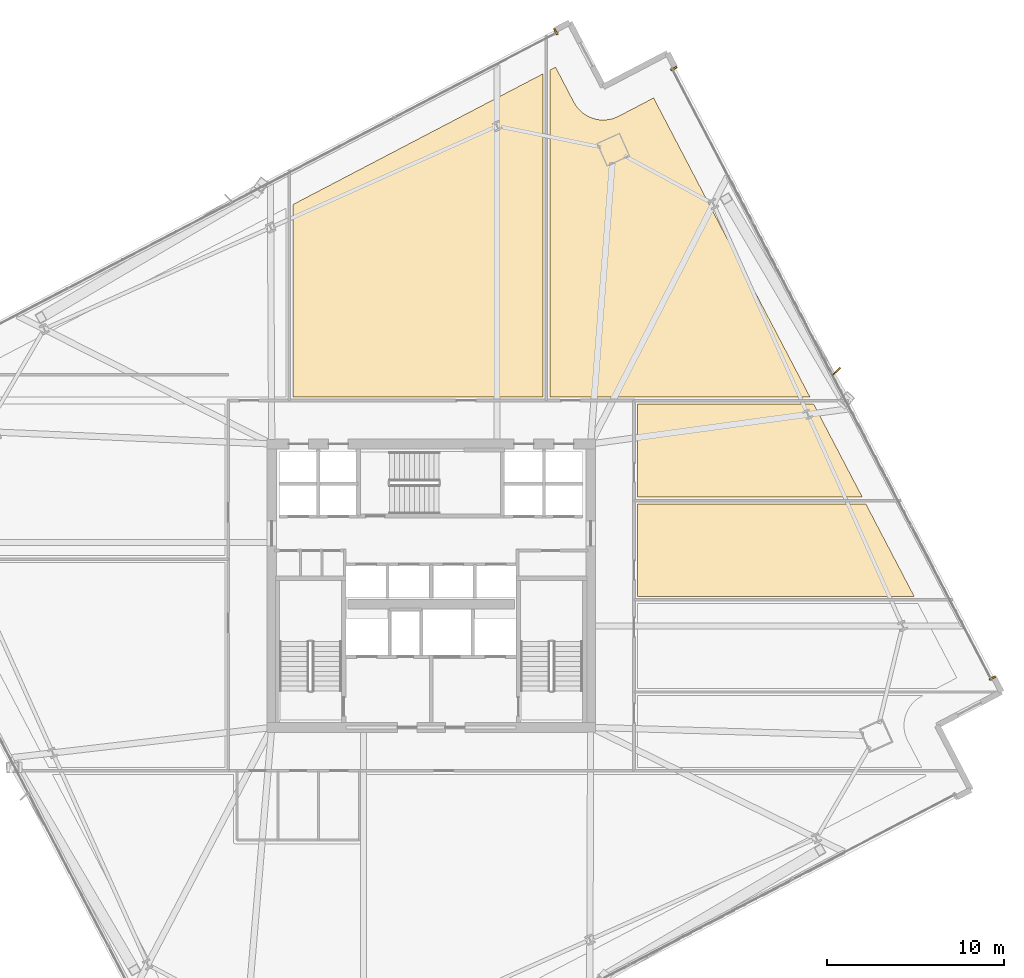
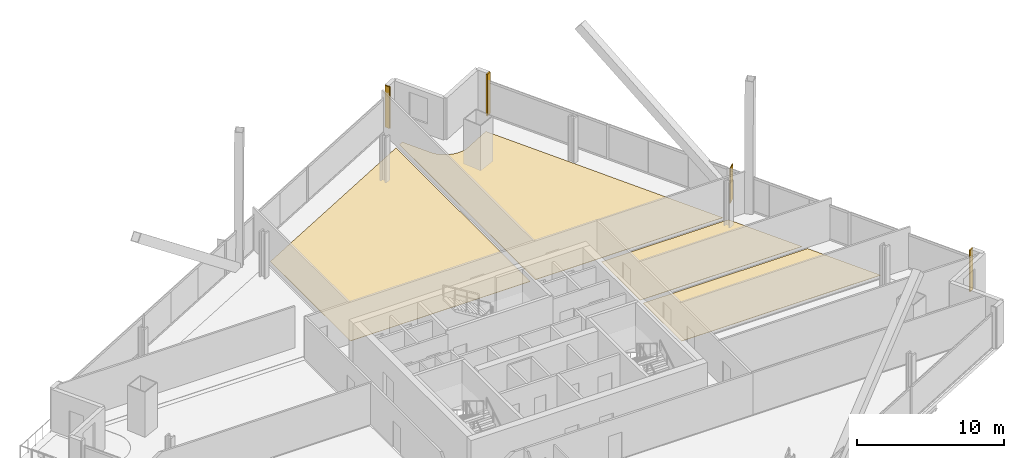
# One storey, part 33 of 33: 7 coverings, 1 shading device.
"""IFC4 building model written with IfcOpenShell, lengths in metres."""

from ifc_helpers import new_model, si_unit, direction, frame, origin, origin_2d, place, context, subcontext, project, spatial, polyline, rectangle, outline, extrude, source, transform, mapped, material, layer, layer_set, type_object, element, save


model = new_model("IFC4")

# Units and contexts
model_context = context("Model", 3, precision=1e-05, world=origin(), true_north=direction((0.0, 1.0)))
body_context = subcontext(model_context, "Body", "Model", "MODEL_VIEW")
ifc_project = project(units=[si_unit("LENGTHUNIT", "METRE"), si_unit("AREAUNIT", "SQUARE_METRE"), si_unit("VOLUMEUNIT", "CUBIC_METRE"), si_unit("PLANEANGLEUNIT", "RADIAN"), si_unit("MASSUNIT", "GRAM", prefix="KILO")], contexts=[model_context])

# Site, building, storey
site_placement = place(None, origin())
site = spatial("IfcSite", under=ifc_project, at=site_placement, CompositionType="ELEMENT")
building_placement = place(site_placement, origin())
building = spatial("IfcBuilding", under=site, at=building_placement, Name="Haldenkirk Collegiate Tower", CompositionType="ELEMENT")
storey_placement = place(building_placement, frame((0.0, 0.0, 120.449951171875)))
storey = spatial("IfcBuildingStorey", under=building, at=storey_placement, Name="L29", CompositionType="ELEMENT", Elevation=120.449951171875)

# Coverings
ifc_material_1 = material(Name="Polished collegiate terrazzo", Category="concrete")
ifc_layer_1 = layer(ifc_material_1, 0.02490234375)
ifc_layer_set_1 = layer_set([ifc_layer_1], Name="Polished collegiate terrazzo")
covering_type_1 = type_object("IfcCoveringType", Name="COV-FLOOR-TERRAZZO", PredefinedType="FLOORING", material=ifc_layer_set_1)
covering_1_placement = place(storey_placement, origin())
element("IfcCovering", 1, at=covering_1_placement, inside=storey, type_object=covering_type_1, Name="L29 academic room finish 04", PredefinedType="FLOORING", context=body_context, shape_type="SweptSolid", body=[
    extrude(outline(polyline([(43.021484375, 55.26318359375), (44.0546875, 53.286865234375), (44.0576171875, 53.281494140625), (44.14453125, 53.133544921875), (44.15087890625, 53.123779296875), (44.251953125, 52.98486328125), (44.259521484375, 52.9755859375), (44.37353515625, 52.847412109375), (44.3818359375, 52.839111328125), (44.508056640625, 52.722412109375), (44.51708984375, 52.715087890625), (44.654052734375, 52.611328125), (44.663818359375, 52.604736328125), (44.810302734375, 52.51513671875), (44.820556640625, 52.509521484375), (44.97509765625, 52.4345703125), (44.986083984375, 52.429931640625), (45.147216796875, 52.37060546875), (45.158203125, 52.3671875), (45.324462890625, 52.323974609375), (45.336181640625, 52.321533203125), (45.505615234375, 52.294921875), (45.517333984375, 52.29345703125), (45.68896484375, 52.283447265625), (45.70068359375, 52.283447265625), (45.872314453125, 52.290283203125), (45.884033203125, 52.291259765625), (46.05419921875, 52.31494140625), (46.065673828125, 52.317138671875), (46.232666015625, 52.357421875), (46.243896484375, 52.360595703125), (46.406005859375, 52.4169921875), (46.4169921875, 52.42138671875), (46.572998046875, 52.493408203125), (46.578369140625, 52.49609375), (48.554443359375, 53.529296875), (57.378662109375, 36.64990234375), (42.699951171875, 36.64990234375), (42.699951171875, 55.094970703125), (43.021484375, 55.26318359375)])), origin(), (0.0, 0.0, 1.0), 0.025146484375),
])
covering_2_placement = place(storey_placement, origin())
element("IfcCovering", 2, at=covering_2_placement, inside=storey, type_object=covering_type_1, Name="L29 academic room finish 10", PredefinedType="FLOORING", context=body_context, shape_type="SweptSolid", body=[
    extrude(outline(polyline([(60.33251953125, 31.0), (47.64990234375, 31.0), (47.64990234375, 36.25), (57.587890625, 36.25), (60.33251953125, 31.0)])), origin(), (0.0, 0.0, 1.0), 0.025146484375),
])
ifc_material_2 = material(Name="Engineered collegiate oak acoustic flooring", Category="wood")
ifc_layer_2 = layer(ifc_material_2, 0.02197265625)
ifc_layer_set_2 = layer_set([ifc_layer_2], Name="Engineered collegiate oak acoustic flooring")
covering_type_2 = type_object("IfcCoveringType", Name="COV-FLOOR-TIMBER", PredefinedType="FLOORING", material=ifc_layer_set_2)
covering_3_placement = place(storey_placement, origin())
element("IfcCovering", 3, at=covering_3_placement, inside=storey, type_object=covering_type_2, Name="L29 academic room finish 03", PredefinedType="FLOORING", context=body_context, shape_type="SweptSolid", body=[
    extrude(outline(polyline([(42.300048828125, 54.885986328125), (42.300048828125, 36.64990234375), (28.199951171875, 36.64990234375), (28.199951171875, 47.514404296875), (42.300048828125, 54.885986328125)])), origin(), (0.0, 0.0, 1.0), 0.02197265625),
])
covering_4_placement = place(storey_placement, origin())
element("IfcCovering", 4, at=covering_4_placement, inside=storey, type_object=covering_type_2, Name="L29 academic room finish 09", PredefinedType="FLOORING", context=body_context, shape_type="SweptSolid", body=[
    extrude(outline(polyline([(63.260009765625, 25.39990234375), (47.64990234375, 25.39990234375), (47.64990234375, 30.60009765625), (60.54150390625, 30.60009765625), (63.260009765625, 25.39990234375)])), origin(), (0.0, 0.0, 1.0), 0.02197265625),
])
ifc_material_3 = material(Name="Anodised architectural bronze aluminium", Category="aluminium")
ifc_layer_3 = layer(ifc_material_3, 0.06005859375)
ifc_layer_set_3 = layer_set([ifc_layer_3], Name="Anodised architectural bronze aluminium")
covering_type_3 = type_object("IfcCoveringType", Name="COV-CLAD-BRONZE-60", PredefinedType="CLADDING", material=ifc_layer_set_3)
shared_shape_1 = source(origin(), body_context, "Body", "SweptSolid", [
    extrude(rectangle(XDim=0.10009765625, YDim=0.3798828125, at=origin_2d()), origin(), (0.0, 0.0, 1.0), 3.449951171875),
])
for number, where, z_axis, x_axis, name in (
    (5, (49.6962890625, 55.186767578125, 0.0), (0.0, 0.0, 1.0), (0.46329603512, -0.886203579231, 0.0), "L29 recessed curtain-wall bronze jamb closure EJL"),
    (6, (67.67919921875, 20.788818359375, 0.0), (0.0, 0.0, 1.0), (0.46329603512, -0.886203579231, 0.0), "L29 recessed curtain-wall bronze jamb closure EJR"),
    (7, (43.02978515625, 57.27587890625, 0.0), (0.0, 0.0, 1.0), (0.886203579231, 0.46329603512, 0.0), "L29 recessed curtain-wall bronze jamb closure NJR"),
):
    element("IfcCovering", number, at=place(storey_placement, frame(where, z_axis=z_axis, x_axis=x_axis)), inside=storey, type_object=covering_type_3, Name=name, PredefinedType="CLADDING", context=body_context, shape_type="MappedRepresentation", body=[
        mapped(shared_shape_1, transform((0.0, 0.0, 0.0), x_axis=(1.0, 0.0, 0.0), y_axis=(0.0, 1.0, 0.0), z_axis=(0.0, 0.0, 1.0), scale=1.0)),
    ])

# Shading device
ifc_layer_4 = layer(ifc_material_3, 0.06494140625)
ifc_layer_set_4 = layer_set([ifc_layer_4], Name="Anodised architectural bronze aluminium")
shading_device_type = type_object("IfcShadingDeviceType", Name="SHD-FIN-BRONZE-620", PredefinedType="USERDEFINED", material=ifc_layer_set_4)
shared_shape_2 = source(origin(), body_context, "Body", "SweptSolid", [
    extrude(rectangle(XDim=0.6201171875, YDim=0.06494140625, at=origin_2d()), origin(), (0.0, 0.0, 1.0), 2.90087890625),
])
shading_device_placement = place(storey_placement, frame((58.869384765625, 38.082763671875, 0.0), z_axis=(0.0, 0.0, 1.0), x_axis=(0.724171861437, 0.689619543736, 0.0)))
element("IfcShadingDevice", 8, at=shading_device_placement, inside=storey, type_object=shading_device_type, Name="L29 folded bronze solar fin 1", ObjectType="FIN", PredefinedType="USERDEFINED", context=body_context, shape_type="MappedRepresentation", body=[
    mapped(shared_shape_2, transform((0.0, 0.0, 0.0), x_axis=(1.0, 0.0, 0.0), y_axis=(0.0, 1.0, 0.0), z_axis=(0.0, 0.0, 1.0), scale=1.0)),
])

save(model, "model.ifc")
